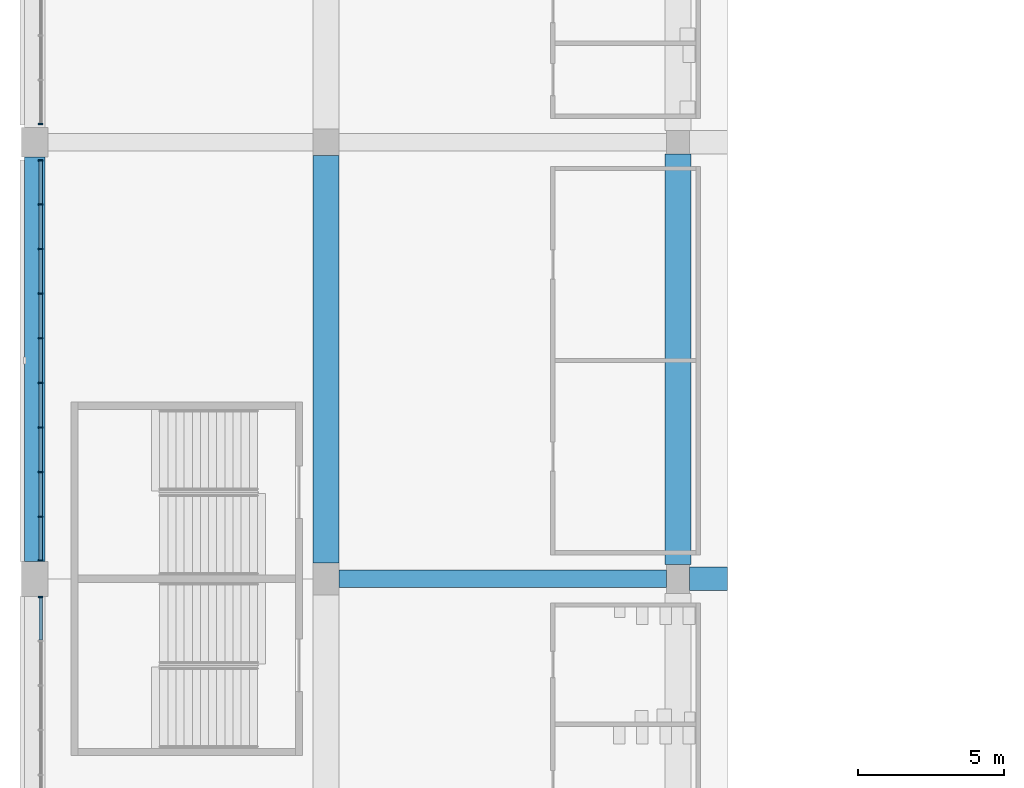
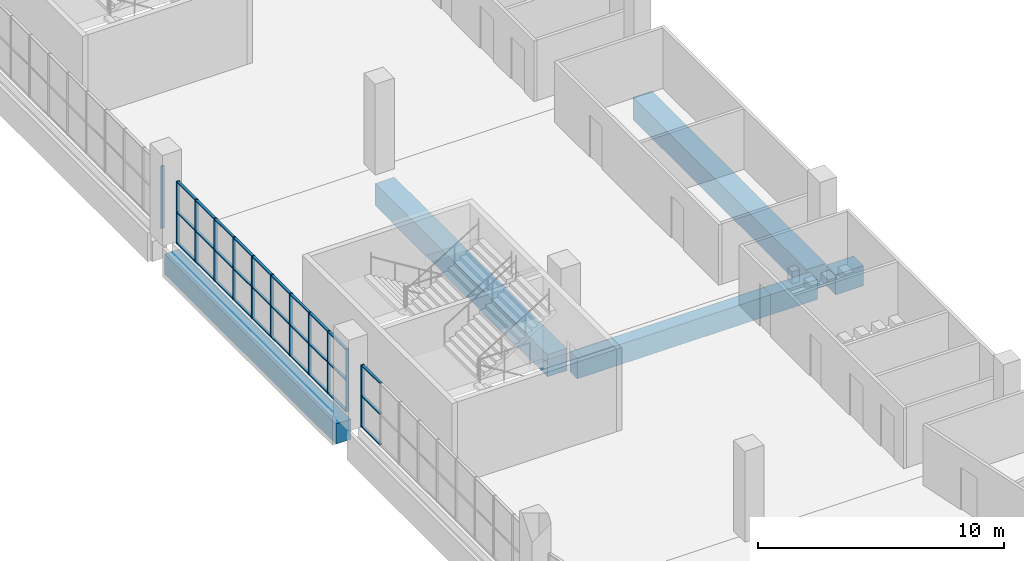
# One storey, part 17 of 199: 42 members, 5 beams, 3 elements without a shape of their own.
"""IFC4 building model written with IfcOpenShell, lengths in metres."""

from ifc_helpers import new_model, si_unit, direction, frame, origin, origin_2d, place, context, subcontext, project, spatial, rectangle, extrude, material, material_profile, profile_set, type_object, element, aggregate, save


model = new_model("IFC4")

# Units and contexts
model_context = context("Model", 3, precision=1e-05, world=origin(), true_north=direction((0.0, 1.0)))
body_context = subcontext(model_context, "Body", "Model", "MODEL_VIEW")
ifc_project = project(units=[si_unit("LENGTHUNIT", "METRE"), si_unit("AREAUNIT", "SQUARE_METRE"), si_unit("VOLUMEUNIT", "CUBIC_METRE"), si_unit("PLANEANGLEUNIT", "RADIAN"), si_unit("MASSUNIT", "GRAM", prefix="KILO")], contexts=[model_context])

# Site, building, storey
site_placement = place(None, origin())
site = spatial("IfcSite", under=ifc_project, at=site_placement, CompositionType="ELEMENT")
building_placement = place(site_placement, origin())
building = spatial("IfcBuilding", under=site, at=building_placement, Name="Ogive Plaza Stadium", CompositionType="ELEMENT")
storey_placement = place(building_placement, frame((0.0, 0.0, 4.5)))
storey = spatial("IfcBuildingStorey", under=building, at=storey_placement, Name="L01", CompositionType="ELEMENT", Elevation=4.5)

# Curtain wall, member
ifc_material_1 = material(Name="Bronze-anodised aluminium with laminated glass", Category="aluminium")
curtain_wall_type = type_object("IfcCurtainWallType", Name="Lancet curtain wall", PredefinedType="NOTDEFINED", material=ifc_material_1)
curtain_wall_1_placement = place(storey_placement, origin())
curtain_wall_1 = element("IfcCurtainWall", 1, at=curtain_wall_1_placement, inside=storey, type_object=curtain_wall_type, Name="CURTAIN WALL B21 L01", PredefinedType="NOTDEFINED")
ifc_material_2 = material(Name="Bronze-anodised aluminium", Category="aluminium")
ifc_material_profile_1 = material_profile(ifc_material_2, rectangle(XDim=0.14990234375, YDim=0.050048828125, at=origin_2d()), Name="AL 150x50")
ifc_profile_set_1 = profile_set([ifc_material_profile_1], Name="Bronze-anodised aluminium")
member_type_1 = type_object("IfcMemberType", Name="Curtain wall mullion 50x150", PredefinedType="MULLION", material=ifc_profile_set_1)
member_1_placement = place(storey_placement, frame((-83.800048828125, -38.125, 0.0), z_axis=(0.0, 0.0, 1.0), x_axis=(-1.0, 0.0, 0.0)))
member_1 = element("IfcMember", 2, at=member_1_placement, type_object=member_type_1, Name="CW-B21-L01 mullion 10", PredefinedType="MULLION", context=body_context, shape_type="SweptSolid", body=[
    extrude(rectangle(XDim=0.14990234375, YDim=0.050048828125, at=origin_2d()), origin(), (0.0, 0.0, 1.0), 3.090087890625),
])

# Curtain wall, members
curtain_wall_2_placement = place(storey_placement, origin())
curtain_wall_2 = element("IfcCurtainWall", 3, at=curtain_wall_2_placement, inside=storey, type_object=curtain_wall_type, Name="CURTAIN WALL B22 L01", PredefinedType="NOTDEFINED")
member_2_placement = place(storey_placement, frame((-83.800048828125, -36.875, 0.0), z_axis=(0.0, 0.0, 1.0), x_axis=(-1.0, 0.0, 0.0)))
member_2 = element("IfcMember", 4, at=member_2_placement, type_object=member_type_1, Name="CW-B22-L01 mullion 1", PredefinedType="MULLION", context=body_context, shape_type="SweptSolid", body=[
    extrude(rectangle(XDim=0.14990234375, YDim=0.050048828125, at=origin_2d()), origin(), (0.0, 0.0, 1.0), 3.090087890625),
])
member_3_placement = place(storey_placement, frame((-83.800048828125, -35.36669921875, 0.0), z_axis=(0.0, 0.0, 1.0), x_axis=(-1.0, 0.0, 0.0)))
member_3 = element("IfcMember", 5, at=member_3_placement, type_object=member_type_1, Name="CW-B22-L01 mullion 2", PredefinedType="MULLION", context=body_context, shape_type="SweptSolid", body=[
    extrude(rectangle(XDim=0.14990234375, YDim=0.050048828125, at=origin_2d()), origin(), (0.0, 0.0, 1.0), 3.090087890625),
])
member_4_placement = place(storey_placement, frame((-83.800048828125, -33.833251953125, 0.0), z_axis=(0.0, 0.0, 1.0), x_axis=(-1.0, 0.0, 0.0)))
member_4 = element("IfcMember", 6, at=member_4_placement, type_object=member_type_1, Name="CW-B22-L01 mullion 3", PredefinedType="MULLION", context=body_context, shape_type="SweptSolid", body=[
    extrude(rectangle(XDim=0.14990234375, YDim=0.050048828125, at=origin_2d()), origin(), (0.0, 0.0, 1.0), 3.090087890625),
])
member_5_placement = place(storey_placement, frame((-83.800048828125, -32.300048828125, 0.0), z_axis=(0.0, 0.0, 1.0), x_axis=(-1.0, 0.0, 0.0)))
member_5 = element("IfcMember", 7, at=member_5_placement, type_object=member_type_1, Name="CW-B22-L01 mullion 4", PredefinedType="MULLION", context=body_context, shape_type="SweptSolid", body=[
    extrude(rectangle(XDim=0.14990234375, YDim=0.050048828125, at=origin_2d()), origin(), (0.0, 0.0, 1.0), 3.090087890625),
])
member_6_placement = place(storey_placement, frame((-83.800048828125, -30.7666015625, 0.0), z_axis=(0.0, 0.0, 1.0), x_axis=(-1.0, 0.0, 0.0)))
member_6 = element("IfcMember", 8, at=member_6_placement, type_object=member_type_1, Name="CW-B22-L01 mullion 5", PredefinedType="MULLION", context=body_context, shape_type="SweptSolid", body=[
    extrude(rectangle(XDim=0.14990234375, YDim=0.050048828125, at=origin_2d()), origin(), (0.0, 0.0, 1.0), 3.090087890625),
])
member_7_placement = place(storey_placement, frame((-83.800048828125, -29.2333984375, 0.0), z_axis=(0.0, 0.0, 1.0), x_axis=(-1.0, 0.0, 0.0)))
member_7 = element("IfcMember", 9, at=member_7_placement, type_object=member_type_1, Name="CW-B22-L01 mullion 6", PredefinedType="MULLION", context=body_context, shape_type="SweptSolid", body=[
    extrude(rectangle(XDim=0.14990234375, YDim=0.050048828125, at=origin_2d()), origin(), (0.0, 0.0, 1.0), 3.090087890625),
])
member_8_placement = place(storey_placement, frame((-83.800048828125, -27.699951171875, 0.0), z_axis=(0.0, 0.0, 1.0), x_axis=(-1.0, 0.0, 0.0)))
member_8 = element("IfcMember", 10, at=member_8_placement, type_object=member_type_1, Name="CW-B22-L01 mullion 7", PredefinedType="MULLION", context=body_context, shape_type="SweptSolid", body=[
    extrude(rectangle(XDim=0.14990234375, YDim=0.050048828125, at=origin_2d()), origin(), (0.0, 0.0, 1.0), 3.090087890625),
])
member_9_placement = place(storey_placement, frame((-83.800048828125, -26.166748046875, 0.0), z_axis=(0.0, 0.0, 1.0), x_axis=(-1.0, 0.0, 0.0)))
member_9 = element("IfcMember", 11, at=member_9_placement, type_object=member_type_1, Name="CW-B22-L01 mullion 8", PredefinedType="MULLION", context=body_context, shape_type="SweptSolid", body=[
    extrude(rectangle(XDim=0.14990234375, YDim=0.050048828125, at=origin_2d()), origin(), (0.0, 0.0, 1.0), 3.090087890625),
])
member_10_placement = place(storey_placement, frame((-83.800048828125, -24.63330078125, 0.0), z_axis=(0.0, 0.0, 1.0), x_axis=(-1.0, 0.0, 0.0)))
member_10 = element("IfcMember", 12, at=member_10_placement, type_object=member_type_1, Name="CW-B22-L01 mullion 9", PredefinedType="MULLION", context=body_context, shape_type="SweptSolid", body=[
    extrude(rectangle(XDim=0.14990234375, YDim=0.050048828125, at=origin_2d()), origin(), (0.0, 0.0, 1.0), 3.090087890625),
])
member_11_placement = place(storey_placement, frame((-83.800048828125, -23.125, 0.0), z_axis=(0.0, 0.0, 1.0), x_axis=(-1.0, 0.0, 0.0)))
member_11 = element("IfcMember", 13, at=member_11_placement, type_object=member_type_1, Name="CW-B22-L01 mullion 10", PredefinedType="MULLION", context=body_context, shape_type="SweptSolid", body=[
    extrude(rectangle(XDim=0.14990234375, YDim=0.050048828125, at=origin_2d()), origin(), (0.0, 0.0, 1.0), 3.090087890625),
])

# Curtain wall, member
curtain_wall_3_placement = place(storey_placement, origin())
curtain_wall_3 = element("IfcCurtainWall", 14, at=curtain_wall_3_placement, inside=storey, type_object=curtain_wall_type, Name="CURTAIN WALL B23 L01", PredefinedType="NOTDEFINED")
member_12_placement = place(storey_placement, frame((-83.800048828125, -21.875, 0.0), z_axis=(0.0, 0.0, 1.0), x_axis=(-1.0, 0.0, 0.0)))
member_12 = element("IfcMember", 15, at=member_12_placement, type_object=member_type_1, Name="CW-B23-L01 mullion 1", PredefinedType="MULLION", context=body_context, shape_type="SweptSolid", body=[
    extrude(rectangle(XDim=0.14990234375, YDim=0.050048828125, at=origin_2d()), origin(), (0.0, 0.0, 1.0), 3.090087890625),
])
aggregate(curtain_wall_3, [member_12])

# Member
ifc_material_3 = material(Name="Bronze-anodised aluminium", Category="aluminium")
ifc_material_profile_2 = material_profile(ifc_material_3, rectangle(XDim=0.1201171875, YDim=0.050048828125, at=origin_2d()), Name="AL 120x50")
ifc_profile_set_2 = profile_set([ifc_material_profile_2], Name="Bronze-anodised aluminium")
member_type_2 = type_object("IfcMemberType", Name="Curtain wall transom 50x120", PredefinedType="USERDEFINED", material=ifc_profile_set_2)
member_13_placement = place(storey_placement, frame((-83.800048828125, -39.6083984375, 0.02490234375), z_axis=(0.0, 1.0, 0.0), x_axis=(-1.0, 0.0, 0.0)))
member_13 = element("IfcMember", 16, at=member_13_placement, type_object=member_type_2, Name="CW-B21-L01 transom 9.1", ObjectType="TRANSOM", PredefinedType="USERDEFINED", context=body_context, shape_type="SweptSolid", body=[
    extrude(rectangle(XDim=0.1201171875, YDim=0.050048828125, at=origin_2d()), origin(), (0.0, 0.0, 1.0), 1.45849609375),
])

member_14_placement = place(storey_placement, frame((-83.800048828125, -39.6083984375, 1.544921875), z_axis=(0.0, 1.0, 0.0), x_axis=(-1.0, 0.0, 0.0)))
member_14 = element("IfcMember", 17, at=member_14_placement, type_object=member_type_2, Name="CW-B21-L01 transom 9.2", ObjectType="TRANSOM", PredefinedType="USERDEFINED", context=body_context, shape_type="SweptSolid", body=[
    extrude(rectangle(XDim=0.1201171875, YDim=0.050048828125, at=origin_2d()), origin(), (0.0, 0.0, 1.0), 1.45849609375),
])

member_15_placement = place(storey_placement, frame((-83.800048828125, -39.6083984375, 3.06494140625), z_axis=(0.0, 1.0, 0.0), x_axis=(-1.0, 0.0, 0.0)))
member_15 = element("IfcMember", 18, at=member_15_placement, type_object=member_type_2, Name="CW-B21-L01 transom 9.3", ObjectType="TRANSOM", PredefinedType="USERDEFINED", context=body_context, shape_type="SweptSolid", body=[
    extrude(rectangle(XDim=0.1201171875, YDim=0.050048828125, at=origin_2d()), origin(), (0.0, 0.0, 1.0), 1.45849609375),
])

aggregate(curtain_wall_1, [member_1, member_13, member_14, member_15])

member_16_placement = place(storey_placement, frame((-83.800048828125, -36.85009765625, 0.02490234375), z_axis=(0.0, 1.0, 0.0), x_axis=(-1.0, 0.0, 0.0)))
member_16 = element("IfcMember", 19, at=member_16_placement, type_object=member_type_2, Name="CW-B22-L01 transom 1.1", ObjectType="TRANSOM", PredefinedType="USERDEFINED", context=body_context, shape_type="SweptSolid", body=[
    extrude(rectangle(XDim=0.1201171875, YDim=0.050048828125, at=origin_2d()), origin(), (0.0, 0.0, 1.0), 1.45849609375),
])

member_17_placement = place(storey_placement, frame((-83.800048828125, -36.85009765625, 1.544921875), z_axis=(0.0, 1.0, 0.0), x_axis=(-1.0, 0.0, 0.0)))
member_17 = element("IfcMember", 20, at=member_17_placement, type_object=member_type_2, Name="CW-B22-L01 transom 1.2", ObjectType="TRANSOM", PredefinedType="USERDEFINED", context=body_context, shape_type="SweptSolid", body=[
    extrude(rectangle(XDim=0.1201171875, YDim=0.050048828125, at=origin_2d()), origin(), (0.0, 0.0, 1.0), 1.45849609375),
])

member_18_placement = place(storey_placement, frame((-83.800048828125, -36.85009765625, 3.06494140625), z_axis=(0.0, 1.0, 0.0), x_axis=(-1.0, 0.0, 0.0)))
member_18 = element("IfcMember", 21, at=member_18_placement, type_object=member_type_2, Name="CW-B22-L01 transom 1.3", ObjectType="TRANSOM", PredefinedType="USERDEFINED", context=body_context, shape_type="SweptSolid", body=[
    extrude(rectangle(XDim=0.1201171875, YDim=0.050048828125, at=origin_2d()), origin(), (0.0, 0.0, 1.0), 1.45849609375),
])

member_19_placement = place(storey_placement, frame((-83.800048828125, -35.341552734375, 0.02490234375), z_axis=(0.0, 1.0, 0.0), x_axis=(-1.0, 0.0, 0.0)))
member_19 = element("IfcMember", 22, at=member_19_placement, type_object=member_type_2, Name="CW-B22-L01 transom 2.1", ObjectType="TRANSOM", PredefinedType="USERDEFINED", context=body_context, shape_type="SweptSolid", body=[
    extrude(rectangle(XDim=0.1201171875, YDim=0.050048828125, at=origin_2d()), origin(), (0.0, 0.0, 1.0), 1.483154296875),
])

member_20_placement = place(storey_placement, frame((-83.800048828125, -35.341552734375, 1.544921875), z_axis=(0.0, 1.0, 0.0), x_axis=(-1.0, 0.0, 0.0)))
member_20 = element("IfcMember", 23, at=member_20_placement, type_object=member_type_2, Name="CW-B22-L01 transom 2.2", ObjectType="TRANSOM", PredefinedType="USERDEFINED", context=body_context, shape_type="SweptSolid", body=[
    extrude(rectangle(XDim=0.1201171875, YDim=0.050048828125, at=origin_2d()), origin(), (0.0, 0.0, 1.0), 1.483154296875),
])

member_21_placement = place(storey_placement, frame((-83.800048828125, -35.341552734375, 3.06494140625), z_axis=(0.0, 1.0, 0.0), x_axis=(-1.0, 0.0, 0.0)))
member_21 = element("IfcMember", 24, at=member_21_placement, type_object=member_type_2, Name="CW-B22-L01 transom 2.3", ObjectType="TRANSOM", PredefinedType="USERDEFINED", context=body_context, shape_type="SweptSolid", body=[
    extrude(rectangle(XDim=0.1201171875, YDim=0.050048828125, at=origin_2d()), origin(), (0.0, 0.0, 1.0), 1.483154296875),
])

member_22_placement = place(storey_placement, frame((-83.800048828125, -33.808349609375, 0.02490234375), z_axis=(0.0, 1.0, 0.0), x_axis=(-1.0, 0.0, 0.0)))
member_22 = element("IfcMember", 25, at=member_22_placement, type_object=member_type_2, Name="CW-B22-L01 transom 3.1", ObjectType="TRANSOM", PredefinedType="USERDEFINED", context=body_context, shape_type="SweptSolid", body=[
    extrude(rectangle(XDim=0.1201171875, YDim=0.050048828125, at=origin_2d()), origin(), (0.0, 0.0, 1.0), 1.4833984375),
])

member_23_placement = place(storey_placement, frame((-83.800048828125, -33.808349609375, 1.544921875), z_axis=(0.0, 1.0, 0.0), x_axis=(-1.0, 0.0, 0.0)))
member_23 = element("IfcMember", 26, at=member_23_placement, type_object=member_type_2, Name="CW-B22-L01 transom 3.2", ObjectType="TRANSOM", PredefinedType="USERDEFINED", context=body_context, shape_type="SweptSolid", body=[
    extrude(rectangle(XDim=0.1201171875, YDim=0.050048828125, at=origin_2d()), origin(), (0.0, 0.0, 1.0), 1.4833984375),
])

member_24_placement = place(storey_placement, frame((-83.800048828125, -33.808349609375, 3.06494140625), z_axis=(0.0, 1.0, 0.0), x_axis=(-1.0, 0.0, 0.0)))
member_24 = element("IfcMember", 27, at=member_24_placement, type_object=member_type_2, Name="CW-B22-L01 transom 3.3", ObjectType="TRANSOM", PredefinedType="USERDEFINED", context=body_context, shape_type="SweptSolid", body=[
    extrude(rectangle(XDim=0.1201171875, YDim=0.050048828125, at=origin_2d()), origin(), (0.0, 0.0, 1.0), 1.4833984375),
])

member_25_placement = place(storey_placement, frame((-83.800048828125, -32.27490234375, 0.02490234375), z_axis=(0.0, 1.0, 0.0), x_axis=(-1.0, 0.0, 0.0)))
member_25 = element("IfcMember", 28, at=member_25_placement, type_object=member_type_2, Name="CW-B22-L01 transom 4.1", ObjectType="TRANSOM", PredefinedType="USERDEFINED", context=body_context, shape_type="SweptSolid", body=[
    extrude(rectangle(XDim=0.1201171875, YDim=0.050048828125, at=origin_2d()), origin(), (0.0, 0.0, 1.0), 1.483154296875),
])

member_26_placement = place(storey_placement, frame((-83.800048828125, -32.27490234375, 1.544921875), z_axis=(0.0, 1.0, 0.0), x_axis=(-1.0, 0.0, 0.0)))
member_26 = element("IfcMember", 29, at=member_26_placement, type_object=member_type_2, Name="CW-B22-L01 transom 4.2", ObjectType="TRANSOM", PredefinedType="USERDEFINED", context=body_context, shape_type="SweptSolid", body=[
    extrude(rectangle(XDim=0.1201171875, YDim=0.050048828125, at=origin_2d()), origin(), (0.0, 0.0, 1.0), 1.483154296875),
])

member_27_placement = place(storey_placement, frame((-83.800048828125, -32.27490234375, 3.06494140625), z_axis=(0.0, 1.0, 0.0), x_axis=(-1.0, 0.0, 0.0)))
member_27 = element("IfcMember", 30, at=member_27_placement, type_object=member_type_2, Name="CW-B22-L01 transom 4.3", ObjectType="TRANSOM", PredefinedType="USERDEFINED", context=body_context, shape_type="SweptSolid", body=[
    extrude(rectangle(XDim=0.1201171875, YDim=0.050048828125, at=origin_2d()), origin(), (0.0, 0.0, 1.0), 1.483154296875),
])

member_28_placement = place(storey_placement, frame((-83.800048828125, -30.74169921875, 0.02490234375), z_axis=(0.0, 1.0, 0.0), x_axis=(-1.0, 0.0, 0.0)))
member_28 = element("IfcMember", 31, at=member_28_placement, type_object=member_type_2, Name="CW-B22-L01 transom 5.1", ObjectType="TRANSOM", PredefinedType="USERDEFINED", context=body_context, shape_type="SweptSolid", body=[
    extrude(rectangle(XDim=0.1201171875, YDim=0.050048828125, at=origin_2d()), origin(), (0.0, 0.0, 1.0), 1.4833984375),
])

member_29_placement = place(storey_placement, frame((-83.800048828125, -30.74169921875, 1.544921875), z_axis=(0.0, 1.0, 0.0), x_axis=(-1.0, 0.0, 0.0)))
member_29 = element("IfcMember", 32, at=member_29_placement, type_object=member_type_2, Name="CW-B22-L01 transom 5.2", ObjectType="TRANSOM", PredefinedType="USERDEFINED", context=body_context, shape_type="SweptSolid", body=[
    extrude(rectangle(XDim=0.1201171875, YDim=0.050048828125, at=origin_2d()), origin(), (0.0, 0.0, 1.0), 1.4833984375),
])

member_30_placement = place(storey_placement, frame((-83.800048828125, -30.74169921875, 3.06494140625), z_axis=(0.0, 1.0, 0.0), x_axis=(-1.0, 0.0, 0.0)))
member_30 = element("IfcMember", 33, at=member_30_placement, type_object=member_type_2, Name="CW-B22-L01 transom 5.3", ObjectType="TRANSOM", PredefinedType="USERDEFINED", context=body_context, shape_type="SweptSolid", body=[
    extrude(rectangle(XDim=0.1201171875, YDim=0.050048828125, at=origin_2d()), origin(), (0.0, 0.0, 1.0), 1.4833984375),
])

member_31_placement = place(storey_placement, frame((-83.800048828125, -29.208251953125, 0.02490234375), z_axis=(0.0, 1.0, 0.0), x_axis=(-1.0, 0.0, 0.0)))
member_31 = element("IfcMember", 34, at=member_31_placement, type_object=member_type_2, Name="CW-B22-L01 transom 6.1", ObjectType="TRANSOM", PredefinedType="USERDEFINED", context=body_context, shape_type="SweptSolid", body=[
    extrude(rectangle(XDim=0.1201171875, YDim=0.050048828125, at=origin_2d()), origin(), (0.0, 0.0, 1.0), 1.483154296875),
])

member_32_placement = place(storey_placement, frame((-83.800048828125, -29.208251953125, 1.544921875), z_axis=(0.0, 1.0, 0.0), x_axis=(-1.0, 0.0, 0.0)))
member_32 = element("IfcMember", 35, at=member_32_placement, type_object=member_type_2, Name="CW-B22-L01 transom 6.2", ObjectType="TRANSOM", PredefinedType="USERDEFINED", context=body_context, shape_type="SweptSolid", body=[
    extrude(rectangle(XDim=0.1201171875, YDim=0.050048828125, at=origin_2d()), origin(), (0.0, 0.0, 1.0), 1.483154296875),
])

member_33_placement = place(storey_placement, frame((-83.800048828125, -29.208251953125, 3.06494140625), z_axis=(0.0, 1.0, 0.0), x_axis=(-1.0, 0.0, 0.0)))
member_33 = element("IfcMember", 36, at=member_33_placement, type_object=member_type_2, Name="CW-B22-L01 transom 6.3", ObjectType="TRANSOM", PredefinedType="USERDEFINED", context=body_context, shape_type="SweptSolid", body=[
    extrude(rectangle(XDim=0.1201171875, YDim=0.050048828125, at=origin_2d()), origin(), (0.0, 0.0, 1.0), 1.483154296875),
])

member_34_placement = place(storey_placement, frame((-83.800048828125, -27.675048828125, 0.02490234375), z_axis=(0.0, 1.0, 0.0), x_axis=(-1.0, 0.0, 0.0)))
member_34 = element("IfcMember", 37, at=member_34_placement, type_object=member_type_2, Name="CW-B22-L01 transom 7.1", ObjectType="TRANSOM", PredefinedType="USERDEFINED", context=body_context, shape_type="SweptSolid", body=[
    extrude(rectangle(XDim=0.1201171875, YDim=0.050048828125, at=origin_2d()), origin(), (0.0, 0.0, 1.0), 1.4833984375),
])

member_35_placement = place(storey_placement, frame((-83.800048828125, -27.675048828125, 1.544921875), z_axis=(0.0, 1.0, 0.0), x_axis=(-1.0, 0.0, 0.0)))
member_35 = element("IfcMember", 38, at=member_35_placement, type_object=member_type_2, Name="CW-B22-L01 transom 7.2", ObjectType="TRANSOM", PredefinedType="USERDEFINED", context=body_context, shape_type="SweptSolid", body=[
    extrude(rectangle(XDim=0.1201171875, YDim=0.050048828125, at=origin_2d()), origin(), (0.0, 0.0, 1.0), 1.4833984375),
])

member_36_placement = place(storey_placement, frame((-83.800048828125, -27.675048828125, 3.06494140625), z_axis=(0.0, 1.0, 0.0), x_axis=(-1.0, 0.0, 0.0)))
member_36 = element("IfcMember", 39, at=member_36_placement, type_object=member_type_2, Name="CW-B22-L01 transom 7.3", ObjectType="TRANSOM", PredefinedType="USERDEFINED", context=body_context, shape_type="SweptSolid", body=[
    extrude(rectangle(XDim=0.1201171875, YDim=0.050048828125, at=origin_2d()), origin(), (0.0, 0.0, 1.0), 1.4833984375),
])

member_37_placement = place(storey_placement, frame((-83.800048828125, -26.1416015625, 0.02490234375), z_axis=(0.0, 1.0, 0.0), x_axis=(-1.0, 0.0, 0.0)))
member_37 = element("IfcMember", 40, at=member_37_placement, type_object=member_type_2, Name="CW-B22-L01 transom 8.1", ObjectType="TRANSOM", PredefinedType="USERDEFINED", context=body_context, shape_type="SweptSolid", body=[
    extrude(rectangle(XDim=0.1201171875, YDim=0.050048828125, at=origin_2d()), origin(), (0.0, 0.0, 1.0), 1.483154296875),
])

member_38_placement = place(storey_placement, frame((-83.800048828125, -26.1416015625, 1.544921875), z_axis=(0.0, 1.0, 0.0), x_axis=(-1.0, 0.0, 0.0)))
member_38 = element("IfcMember", 41, at=member_38_placement, type_object=member_type_2, Name="CW-B22-L01 transom 8.2", ObjectType="TRANSOM", PredefinedType="USERDEFINED", context=body_context, shape_type="SweptSolid", body=[
    extrude(rectangle(XDim=0.1201171875, YDim=0.050048828125, at=origin_2d()), origin(), (0.0, 0.0, 1.0), 1.483154296875),
])

member_39_placement = place(storey_placement, frame((-83.800048828125, -26.1416015625, 3.06494140625), z_axis=(0.0, 1.0, 0.0), x_axis=(-1.0, 0.0, 0.0)))
member_39 = element("IfcMember", 42, at=member_39_placement, type_object=member_type_2, Name="CW-B22-L01 transom 8.3", ObjectType="TRANSOM", PredefinedType="USERDEFINED", context=body_context, shape_type="SweptSolid", body=[
    extrude(rectangle(XDim=0.1201171875, YDim=0.050048828125, at=origin_2d()), origin(), (0.0, 0.0, 1.0), 1.483154296875),
])

member_40_placement = place(storey_placement, frame((-83.800048828125, -24.6083984375, 0.02490234375), z_axis=(0.0, 1.0, 0.0), x_axis=(-1.0, 0.0, 0.0)))
member_40 = element("IfcMember", 43, at=member_40_placement, type_object=member_type_2, Name="CW-B22-L01 transom 9.1", ObjectType="TRANSOM", PredefinedType="USERDEFINED", context=body_context, shape_type="SweptSolid", body=[
    extrude(rectangle(XDim=0.1201171875, YDim=0.050048828125, at=origin_2d()), origin(), (0.0, 0.0, 1.0), 1.45849609375),
])

member_41_placement = place(storey_placement, frame((-83.800048828125, -24.6083984375, 1.544921875), z_axis=(0.0, 1.0, 0.0), x_axis=(-1.0, 0.0, 0.0)))
member_41 = element("IfcMember", 44, at=member_41_placement, type_object=member_type_2, Name="CW-B22-L01 transom 9.2", ObjectType="TRANSOM", PredefinedType="USERDEFINED", context=body_context, shape_type="SweptSolid", body=[
    extrude(rectangle(XDim=0.1201171875, YDim=0.050048828125, at=origin_2d()), origin(), (0.0, 0.0, 1.0), 1.45849609375),
])

member_42_placement = place(storey_placement, frame((-83.800048828125, -24.6083984375, 3.06494140625), z_axis=(0.0, 1.0, 0.0), x_axis=(-1.0, 0.0, 0.0)))
member_42 = element("IfcMember", 45, at=member_42_placement, type_object=member_type_2, Name="CW-B22-L01 transom 9.3", ObjectType="TRANSOM", PredefinedType="USERDEFINED", context=body_context, shape_type="SweptSolid", body=[
    extrude(rectangle(XDim=0.1201171875, YDim=0.050048828125, at=origin_2d()), origin(), (0.0, 0.0, 1.0), 1.45849609375),
])

aggregate(curtain_wall_2, [member_2, member_3, member_4, member_5, member_6, member_7, member_8, member_9, member_10, member_11, member_16, member_17, member_18, member_19, member_20, member_21, member_22, member_23, member_24, member_25, member_26, member_27, member_28, member_29, member_30, member_31, member_32, member_33, member_34, member_35, member_36, member_37, member_38, member_39, member_40, member_41, member_42])

# Beams
ifc_material_4 = material(Name="Concrete C40/50", Category="concrete")
ifc_material_profile_3 = material_profile(ifc_material_4, rectangle(XDim=0.60009765625, YDim=1.0, at=origin_2d()), Name="RC 600x1000")
ifc_profile_set_3 = profile_set([ifc_material_profile_3], Name="Concrete C40/50")
beam_type_1 = type_object("IfcBeamType", Name="RC radial beam 600x1000", PredefinedType="BEAM", material=ifc_profile_set_3)
beam_1_placement = place(storey_placement, frame((-62.300048828125, -37.5, -0.909912109375), z_axis=(-1.0, 0.0, 0.0), x_axis=(0.0, -1.0, 0.0)))
element("IfcBeam", 46, at=beam_1_placement, inside=storey, type_object=beam_type_1, Name="Radial beam L01 R22 F3F4", PredefinedType="BEAM", context=body_context, shape_type="SweptSolid", body=[
    extrude(rectangle(XDim=0.60009765625, YDim=1.0, at=origin_2d()), origin(), (0.0, 0.0, 1.0), 11.25),
])
ifc_material_5 = material(Name="Concrete C40/50", Category="concrete")
ifc_material_profile_4 = material_profile(ifc_material_5, rectangle(XDim=0.800048828125, YDim=1.0, at=origin_2d()), Name="RC 800x1000")
ifc_profile_set_4 = profile_set([ifc_material_profile_4], Name="Concrete C40/50")
beam_type_2 = type_object("IfcBeamType", Name="RC radial beam 800x1000", PredefinedType="BEAM", material=ifc_profile_set_4)
beam_2_placement = place(storey_placement, frame((-60.199951171875, -37.5, -0.909912109375), z_axis=(-1.0, 0.0, 0.0), x_axis=(0.0, -1.0, 0.0)))
element("IfcBeam", 47, at=beam_2_placement, inside=storey, type_object=beam_type_2, Name="Raker tail beam LT R22", PredefinedType="BEAM", context=body_context, shape_type="SweptSolid", body=[
    extrude(rectangle(XDim=0.800048828125, YDim=1.0, at=origin_2d()), origin(), (0.0, 0.0, 1.0), 1.300048828125),
])
ifc_material_6 = material(Name="Concrete C40/50", Category="concrete")
ifc_material_profile_5 = material_profile(ifc_material_6, rectangle(XDim=0.89990234375, YDim=1.10009765625, at=origin_2d()), Name="RC 900x1100")
ifc_profile_set_5 = profile_set([ifc_material_profile_5], Name="Concrete C40/50")
beam_type_3 = type_object("IfcBeamType", Name="RC ring beam 900x1100", PredefinedType="BEAM", material=ifc_profile_set_5)
beam_3_placement = place(storey_placement, frame((-74.0, -36.949951171875, -0.9599609375), z_axis=(0.0, 1.0, 0.0), x_axis=(-1.0, 0.0, 0.0)))
element("IfcBeam", 48, at=beam_3_placement, inside=storey, type_object=beam_type_3, Name="Ring beam F4 L01 B22", PredefinedType="BEAM", context=body_context, shape_type="SweptSolid", body=[
    extrude(rectangle(XDim=0.89990234375, YDim=1.10009765625, at=origin_2d()), origin(), (0.0, 0.0, 1.0), 14.0),
])
beam_4_placement = place(storey_placement, frame((-61.89990234375, -37.0, -0.9599609375), z_axis=(0.0, 1.0, 0.0), x_axis=(-1.0, 0.0, 0.0)))
element("IfcBeam", 49, at=beam_4_placement, inside=storey, type_object=beam_type_3, Name="Ring beam F3 L01 B22", PredefinedType="BEAM", context=body_context, shape_type="SweptSolid", body=[
    extrude(rectangle(XDim=0.89990234375, YDim=1.10009765625, at=origin_2d()), origin(), (0.0, 0.0, 1.0), 14.10009765625),
])
ifc_material_7 = material(Name="Concrete C40/50", Category="concrete")
ifc_material_profile_6 = material_profile(ifc_material_7, rectangle(XDim=0.699951171875, YDim=1.0, at=origin_2d()), Name="RC 700x1000")
ifc_profile_set_6 = profile_set([ifc_material_profile_6], Name="Concrete C40/50")
beam_type_4 = type_object("IfcBeamType", Name="RC spandrel beam 700x1000", PredefinedType="SPANDREL", material=ifc_profile_set_6)
beam_5_placement = place(storey_placement, frame((-84.0, -36.89990234375, -0.909912109375), z_axis=(0.0, 1.0, 0.0), x_axis=(-1.0, 0.0, 0.0)))
element("IfcBeam", 50, at=beam_5_placement, inside=storey, type_object=beam_type_4, Name="Ring beam F5 L01 B22", PredefinedType="SPANDREL", context=body_context, shape_type="SweptSolid", body=[
    extrude(rectangle(XDim=0.699951171875, YDim=1.0, at=origin_2d()), origin(), (0.0, 0.0, 1.0), 13.89990234375),
])

save(model, "model.ifc")
